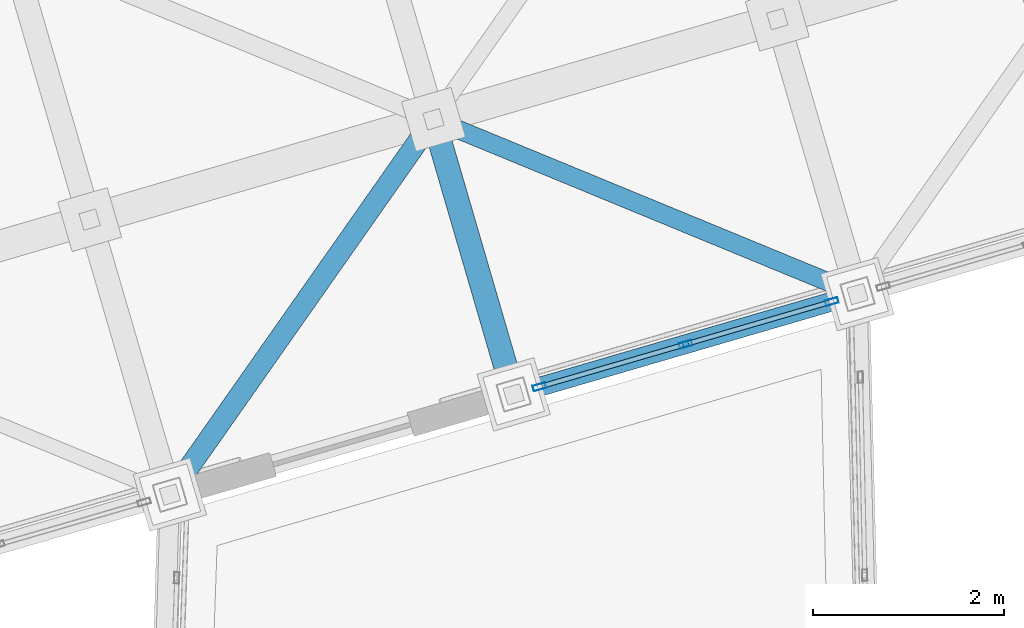
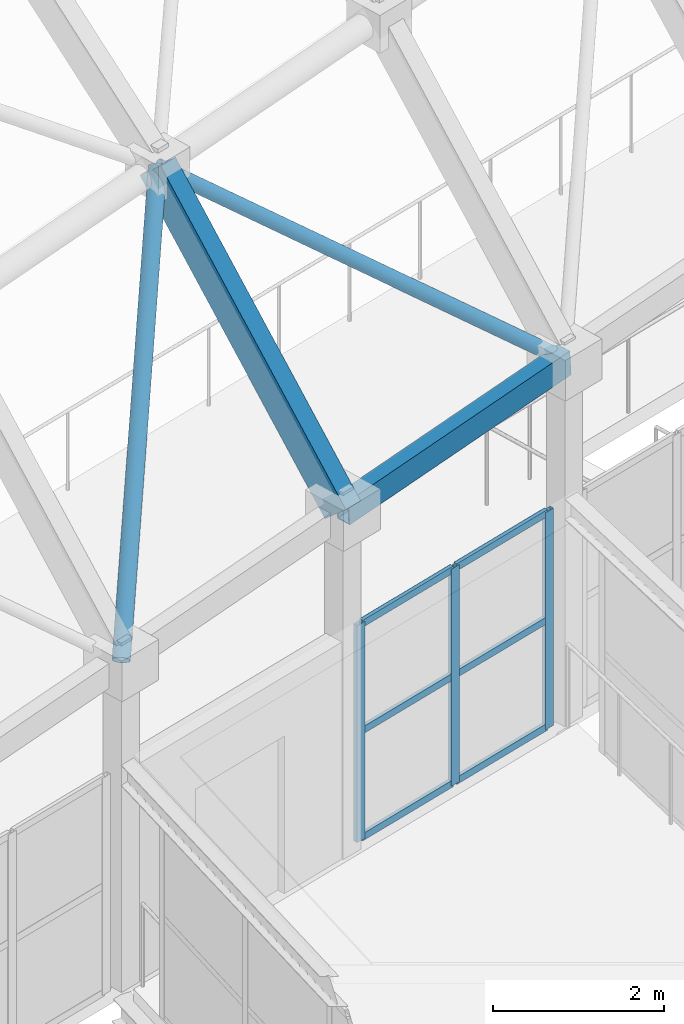
# One storey, part 44 of 248: 11 members, 2 beams, 1 element without a shape of its own.
"""IFC4 building model written with IfcOpenShell, lengths in metres."""

import ifcopenshell
import ifcopenshell.guid

model = None  # the IFC model being written
_history = None  # IfcOwnerHistory: only IFC2X3 demands one
_inside = {}  # id of a spatial element -> (the spatial element, [elements in it])
_under = {}  # id of a project, library or spatial element -> (it, [spatial elements below it])
_declared = {}  # id of a project -> (the project, [libraries it declares])
_typed = {}  # id of a type object -> (the type object, [elements of that type])
_made_of = {}  # id of a material, layer set ... -> (it, [elements and type objects made of it])


def new_model(schema):
    """Start an empty IFC model of exactly this schema.

    Asked for "IFC4X3", IfcOpenShell would pick the latest addendum, in which some entities
    have other attributes; the version numbers below select the first issue.
    IFC2X3 requires an IfcOwnerHistory on every rooted entity: one is made here for all.
    """
    global model, _history
    if schema == "IFC4X3":
        model = ifcopenshell.file(schema_version=(4, 3, 0, 0))
    else:
        model = ifcopenshell.file(schema=schema)
    _inside.clear()
    _under.clear()
    _declared.clear()
    _typed.clear()
    _made_of.clear()
    _history = None
    if model.schema == "IFC2X3":
        org = make("IfcOrganization", Name="unknown")
        user = make(
            "IfcPersonAndOrganization",
            ThePerson=make("IfcPerson", FamilyName="unknown"),
            TheOrganization=org,
        )
        app = make(
            "IfcApplication",
            ApplicationDeveloper=org,
            Version="unknown",
            ApplicationFullName="unknown",
            ApplicationIdentifier="unknown",
        )
        _history = make(
            "IfcOwnerHistory",
            OwningUser=user,
            OwningApplication=app,
            ChangeAction="ADDED",
            CreationDate=0,
        )
    return model


def make(cls, **values):
    """One entity of the class cls with the attributes given. An attribute that is None is left unset."""
    return model.create_entity(
        cls, **{name: value for name, value in values.items() if value is not None}
    )


def rooted(cls, **values):
    """An entity with a GlobalId (a new one), such as an element, a storey or a relation."""
    return make(cls, GlobalId=ifcopenshell.guid.new(), OwnerHistory=_history, **values)


def si_unit(unit_type, name, prefix=None):
    """IfcSIUnit, for example si_unit("LENGTHUNIT", "METRE", prefix="MILLI")."""
    return make("IfcSIUnit", UnitType=unit_type, Prefix=prefix, Name=name)


def assignment(units):
    """IfcUnitAssignment: the units of a project."""
    return None if units is None else make("IfcUnitAssignment", Units=units)


def point(xyz):
    """IfcCartesianPoint."""
    return None if xyz is None else make("IfcCartesianPoint", Coordinates=xyz)


def direction(xyz):
    """IfcDirection."""
    return None if xyz is None else make("IfcDirection", DirectionRatios=xyz)


def frame(location, z_axis=None, x_axis=None):
    """IfcAxis2Placement3D, a coordinate frame: its origin and axes. An axis left out is left unset."""
    return make(
        "IfcAxis2Placement3D",
        Location=point(location),
        Axis=direction(z_axis),
        RefDirection=direction(x_axis),
    )


def frame_2d(location, x_axis=None):
    """IfcAxis2Placement2D, a coordinate frame in the plane: its origin and x axis."""
    return make(
        "IfcAxis2Placement2D", Location=point(location), RefDirection=direction(x_axis)
    )


def origin():
    """The frame at (0, 0, 0) with its axes left unset."""
    return frame((0.0, 0.0, 0.0))


def origin_2d():
    """The frame at (0, 0) in the plane with its x axis left unset."""
    return frame_2d((0.0, 0.0))


def place(relative_to, where):
    """IfcLocalPlacement: puts the frame where relative to a parent placement (None: the world)."""
    return make(
        "IfcLocalPlacement", PlacementRelTo=relative_to, RelativePlacement=where
    )


def context(
    kind, dimensions, precision=None, world=None, true_north=None, identifier=None
):
    """IfcGeometricRepresentationContext, for example the 3D "Model" context."""
    return make(
        "IfcGeometricRepresentationContext",
        ContextIdentifier=identifier,
        ContextType=kind,
        CoordinateSpaceDimension=dimensions,
        Precision=precision,
        WorldCoordinateSystem=world,
        TrueNorth=true_north,
    )


def subcontext(parent, identifier, kind, view, scale=None):
    """IfcGeometricRepresentationSubContext, for example "Body" below "Model"."""
    return make(
        "IfcGeometricRepresentationSubContext",
        ContextIdentifier=identifier,
        ContextType=kind,
        ParentContext=parent,
        TargetScale=scale,
        TargetView=view,
    )


def project(units=None, contexts=None):
    """IfcProject with its units and contexts."""
    return rooted(
        "IfcProject",
        Name="project",
        RepresentationContexts=contexts,
        UnitsInContext=assignment(units),
    )


def spatial(cls, under=None, at=None, **own):
    """A site, building, storey or space (cls), placed at a placement, below another one or the project."""
    s = rooted(cls, ObjectPlacement=at, **own)
    if under is not None:
        _under.setdefault(under.id(), (under, []))[1].append(s)
    return s


def profile(cls, at=None, kind="AREA", **sizes):
    """A parametric profile (cls). Its sizes go by their IFC names, for example OverallWidth=200.0."""
    return make(cls, ProfileType=kind, Position=at, **sizes)


def hollow_rectangle(**sizes):
    """IfcRectangleHollowProfileDef."""
    return profile("IfcRectangleHollowProfileDef", **sizes)


def hollow_circle(**sizes):
    """IfcCircleHollowProfileDef."""
    return profile("IfcCircleHollowProfileDef", **sizes)


def extrude(swept, where, along, depth):
    """IfcExtrudedAreaSolid: the profile swept, set in the frame where, extruded along a direction by depth."""
    return make(
        "IfcExtrudedAreaSolid",
        SweptArea=swept,
        Position=where,
        ExtrudedDirection=direction(along),
        Depth=depth,
    )


def shape(context_of_items, identifier, shape_type, items):
    """IfcShapeRepresentation: the items that make up one representation, for example the "Body"."""
    return make(
        "IfcShapeRepresentation",
        ContextOfItems=context_of_items,
        RepresentationIdentifier=identifier,
        RepresentationType=shape_type,
        Items=items,
    )


def material(Name=None, Category=None):
    """IfcMaterial."""
    return make("IfcMaterial", Name=Name, Category=Category)


def layer(
    of_material, thickness, ventilated=None, Name=None, Category=None, Priority=None
):
    """IfcMaterialLayer: one layer of a wall or slab, of a material (None: an air gap)."""
    return make(
        "IfcMaterialLayer",
        Material=of_material,
        LayerThickness=thickness,
        IsVentilated=ventilated,
        Name=Name,
        Category=Category,
        Priority=Priority,
    )


def layer_set(layers, Name=None):
    """IfcMaterialLayerSet."""
    return make("IfcMaterialLayerSet", MaterialLayers=layers, LayerSetName=Name)


def material_profile(
    of_material, cross_section, Name=None, Category=None, Priority=None
):
    """IfcMaterialProfile: a cross section and its material."""
    return make(
        "IfcMaterialProfile",
        Name=Name,
        Material=of_material,
        Profile=cross_section,
        Priority=Priority,
        Category=Category,
    )


def profile_set(profiles, Name=None, composite=None):
    """IfcMaterialProfileSet."""
    return make(
        "IfcMaterialProfileSet",
        Name=Name,
        MaterialProfiles=profiles,
        CompositeProfile=composite,
    )


def made_of(thing, what):
    """Note that an element or type object is made of a material, layer set ...; save() writes the relation."""
    if what is not None:
        _made_of.setdefault(what.id(), (what, []))[1].append(thing)
    return thing


def type_object(cls, material=None, **own):
    """A type object (cls), such as IfcWallType, which elements share."""
    return made_of(rooted(cls, **own), material)


def element(
    cls,
    number,
    at=None,
    inside=None,
    cuts=None,
    type_object=None,
    material=None,
    context=None,
    identifier="Body",
    shape_type=None,
    held_by="IfcProductDefinitionShape",
    body=None,
    shapes=None,
    **own,
):
    """One element of the class cls, such as IfcWall. Its Tag is "e" and its number.

    at: its placement. inside: the storey or other place that contains it. cuts: it is an
    opening in that element (IfcRelVoidsElement). A single representation is given by context,
    identifier, shape_type and body (its items); several are given by shapes. held_by: the class
    of the entity that holds the representations. save() writes the other relations.
    """
    e = rooted(cls, Tag="e%d" % number, ObjectPlacement=at, **own)
    if body is not None:
        shapes = [shape(context, identifier, shape_type, body)]
    if shapes is not None:
        e.Representation = make(held_by, Representations=shapes)
    if inside is not None:
        _inside.setdefault(inside.id(), (inside, []))[1].append(e)
    if cuts is not None:
        rooted(
            "IfcRelVoidsElement", RelatingBuildingElement=cuts, RelatedOpeningElement=e
        )
    if type_object is not None:
        _typed.setdefault(type_object.id(), (type_object, []))[1].append(e)
    return made_of(e, material)


def aggregate(whole, parts):
    """IfcRelAggregates: a whole, such as a stair, and the parts it consists of."""
    return rooted("IfcRelAggregates", RelatingObject=whole, RelatedObjects=parts)


def save(model, path):
    """Write the relations noted so far, then the file.

    IfcRelAggregates (storeys below a building ...), IfcRelContainedInSpatialStructure (elements
    in a storey), IfcRelDefinesByType, IfcRelAssociatesMaterial and IfcRelDeclares: one each for
    every whole, place, type object, material and project.
    """
    for whole, parts in _under.values():
        aggregate(whole, parts)
    for where, things in _inside.values():
        rooted(
            "IfcRelContainedInSpatialStructure",
            RelatedElements=things,
            RelatingStructure=where,
        )
    for kind, things in _typed.values():
        rooted("IfcRelDefinesByType", RelatedObjects=things, RelatingType=kind)
    for what, things in _made_of.values():
        rooted("IfcRelAssociatesMaterial", RelatedObjects=things, RelatingMaterial=what)
    for by, libraries in _declared.values():
        rooted("IfcRelDeclares", RelatingContext=by, RelatedDefinitions=libraries)
    model.write(path)


model = new_model("IFC4")

# Units and contexts
model_context = context("Model", 3, precision=1e-05, world=origin(), true_north=direction((0.0, 1.0)))
body_context = subcontext(model_context, "Body", "Model", "MODEL_VIEW")
ifc_project = project(units=[si_unit("LENGTHUNIT", "METRE"), si_unit("AREAUNIT", "SQUARE_METRE"), si_unit("VOLUMEUNIT", "CUBIC_METRE"), si_unit("PLANEANGLEUNIT", "RADIAN"), si_unit("MASSUNIT", "GRAM", prefix="KILO")], contexts=[model_context])

# Site, building, storey
site_placement = place(None, origin())
site = spatial("IfcSite", under=ifc_project, at=site_placement, CompositionType="ELEMENT")
building_placement = place(site_placement, origin())
building = spatial("IfcBuilding", under=site, at=building_placement, Name="Canggui Botanical Conservatory", CompositionType="ELEMENT")
storey_placement = place(building_placement, frame((0.0, 0.0, 5.39990234375)))
storey = spatial("IfcBuildingStorey", under=building, at=storey_placement, Name="L02", CompositionType="ELEMENT", Elevation=5.39990234375)

# Beams
ifc_material_1 = material(Name="Steel Q355C", Category="steel")
ifc_material_profile_1 = material_profile(ifc_material_1, hollow_rectangle(XDim=0.25, YDim=0.449951171875, WallThickness=0.013916015625, at=origin_2d()), Name="RHS 250x450x14")
ifc_profile_set_1 = profile_set([ifc_material_profile_1], Name="Steel Q355C")
beam_type_1 = type_object("IfcBeamType", Name="BM-GJ02", PredefinedType="BEAM", material=ifc_profile_set_1)
beam_1_placement = place(storey_placement, frame((38.0, 47.25, 4.85009765625), z_axis=(-0.183568061506, 0.629284758361, 0.755184387874), x_axis=(-0.959989061447, -0.280037500885, 0.0)))
element("IfcBeam", 1, at=beam_1_placement, inside=storey, type_object=beam_type_1, Name="Conservatory Stepped-Arch Rib GJ-06 Segment 1", PredefinedType="BEAM", context=body_context, shape_type="SweptSolid", body=[
    extrude(hollow_rectangle(XDim=0.25, YDim=0.449951171875, WallThickness=0.013916015625, at=origin_2d()), origin(), (0.0, 0.0, 1.0), 4.576416015625),
])
ifc_material_profile_2 = material_profile(ifc_material_1, hollow_rectangle(XDim=0.199951171875, YDim=0.35009765625, WallThickness=0.011962890625, at=origin_2d()), Name="RHS 200x350x12")
ifc_profile_set_2 = profile_set([ifc_material_profile_2], Name="Steel Q355C")
beam_type_2 = type_object("IfcBeamType", Name="BM-RING01", PredefinedType="BEAM", material=ifc_profile_set_2)
beam_2_placement = place(storey_placement, frame((38.0, 47.25, 4.85009765625), z_axis=(0.957872417874, 0.27938486839, 0.066517113516), x_axis=(-0.280004999853, 0.959998541695, 0.0)))
element("IfcBeam", 2, at=beam_2_placement, inside=storey, type_object=beam_type_2, Name="Conservatory Perimeter Ring Beam V0-06", PredefinedType="BEAM", context=body_context, shape_type="SweptSolid", body=[
    extrude(hollow_rectangle(XDim=0.199951171875, YDim=0.35009765625, WallThickness=0.011962890625, at=origin_2d()), origin(), (0.0, 0.0, 1.0), 3.758544921875),
])

# Curtain wall, members
ifc_material_2 = material(Name="Thermally Broken Aluminium", Category="aluminium")
ifc_layer = layer(ifc_material_2, 0.135009765625, Name="Thermally Broken Aluminium", Category="aluminium")
ifc_layer_set = layer_set([ifc_layer], Name="Thermally Broken Aluminium")
curtain_wall_type = type_object("IfcCurtainWallType", Name="CW-STICK-A", PredefinedType="USERDEFINED", material=ifc_layer_set)
curtain_wall_placement = place(storey_placement, origin())
curtain_wall = element("IfcCurtainWall", 3, at=curtain_wall_placement, inside=storey, type_object=curtain_wall_type, Name="Facade Curtain Wall CW-CONS-L02-V0-06", ObjectType="STICK GLAZED WALL", PredefinedType="USERDEFINED")
ifc_material_profile_3 = material_profile(ifc_material_2, hollow_rectangle(XDim=0.06005859375, YDim=0.135009765625, WallThickness=0.00341796875, at=origin_2d()), Name="CWM 60x135x3.5")
ifc_profile_set_3 = profile_set([ifc_material_profile_3], Name="Thermally Broken Aluminium")
member_type_1 = type_object("IfcMemberType", Name="CWM-04", PredefinedType="MULLION", material=ifc_profile_set_3)
member_1_placement = place(storey_placement, frame((41.331298828125, 48.2216796875, 0.0), z_axis=(0.0, 0.0, 1.0), x_axis=(0.279999999995, -0.960000000002, 0.0)))
member_1 = element("IfcMember", 4, at=member_1_placement, type_object=member_type_1, Name="CW-04 mullion 1", PredefinedType="MULLION", context=body_context, shape_type="SweptSolid", body=[
    extrude(hollow_rectangle(XDim=0.06005859375, YDim=0.135009765625, WallThickness=0.00341796875, at=origin_2d()), origin(), (0.0, 0.0, 1.0), 3.10009765625),
])
member_2_placement = place(storey_placement, frame((39.800048828125, 47.77490234375, 0.0), z_axis=(0.0, 0.0, 1.0), x_axis=(0.279999999995, -0.960000000002, 0.0)))
member_2 = element("IfcMember", 5, at=member_2_placement, type_object=member_type_1, Name="CW-04 mullion 2", PredefinedType="MULLION", context=body_context, shape_type="SweptSolid", body=[
    extrude(hollow_rectangle(XDim=0.06005859375, YDim=0.135009765625, WallThickness=0.00341796875, at=origin_2d()), origin(), (0.0, 0.0, 1.0), 3.10009765625),
])
member_3_placement = place(storey_placement, frame((38.268798828125, 47.328369140625, 0.0), z_axis=(0.0, 0.0, 1.0), x_axis=(0.279999999995, -0.960000000002, 0.0)))
member_3 = element("IfcMember", 6, at=member_3_placement, type_object=member_type_1, Name="CW-04 mullion 3", PredefinedType="MULLION", context=body_context, shape_type="SweptSolid", body=[
    extrude(hollow_rectangle(XDim=0.06005859375, YDim=0.135009765625, WallThickness=0.00341796875, at=origin_2d()), origin(), (0.0, 0.0, 1.0), 3.10009765625),
])
ifc_material_profile_4 = material_profile(ifc_material_2, hollow_rectangle(XDim=0.050048828125, YDim=0.10009765625, WallThickness=0.0029296875, at=origin_2d()), Name="CWT 50x100x3")
ifc_profile_set_4 = profile_set([ifc_material_profile_4], Name="Thermally Broken Aluminium")
member_type_2 = type_object("IfcMemberType", Name="CWT-04", PredefinedType="USERDEFINED", material=ifc_profile_set_4)
member_4_placement = place(storey_placement, frame((41.302490234375, 48.213134765625, 0.025146484375), z_axis=(-0.960021373424, -0.279926709282, 0.0), x_axis=(0.279926709282, -0.960021373424, 0.0)))
member_4 = element("IfcMember", 7, at=member_4_placement, type_object=member_type_2, Name="CW-04 transom 1.1", ObjectType="TRANSOM", PredefinedType="USERDEFINED", context=body_context, shape_type="SweptSolid", body=[
    extrude(hollow_rectangle(XDim=0.050048828125, YDim=0.10009765625, WallThickness=0.0029296875, at=origin_2d()), origin(), (0.0, 0.0, 1.0), 1.534912109375),
])
member_5_placement = place(storey_placement, frame((41.302490234375, 48.213134765625, 1.550048828125), z_axis=(-0.960021373424, -0.279926709282, 0.0), x_axis=(0.279926709282, -0.960021373424, 0.0)))
member_5 = element("IfcMember", 8, at=member_5_placement, type_object=member_type_2, Name="CW-04 transom 1.2", ObjectType="TRANSOM", PredefinedType="USERDEFINED", context=body_context, shape_type="SweptSolid", body=[
    extrude(hollow_rectangle(XDim=0.050048828125, YDim=0.10009765625, WallThickness=0.0029296875, at=origin_2d()), origin(), (0.0, 0.0, 1.0), 1.534912109375),
])
member_6_placement = place(storey_placement, frame((41.302490234375, 48.213134765625, 3.0751953125), z_axis=(-0.960021373424, -0.279926709282, 0.0), x_axis=(0.279926709282, -0.960021373424, 0.0)))
member_6 = element("IfcMember", 9, at=member_6_placement, type_object=member_type_2, Name="CW-04 transom 1.3", ObjectType="TRANSOM", PredefinedType="USERDEFINED", context=body_context, shape_type="SweptSolid", body=[
    extrude(hollow_rectangle(XDim=0.050048828125, YDim=0.10009765625, WallThickness=0.0029296875, at=origin_2d()), origin(), (0.0, 0.0, 1.0), 1.534912109375),
])
member_7_placement = place(storey_placement, frame((39.771240234375, 47.7666015625, 0.025146484375), z_axis=(-0.960021373424, -0.279926709282, 0.0), x_axis=(0.279926709282, -0.960021373424, 0.0)))
member_7 = element("IfcMember", 10, at=member_7_placement, type_object=member_type_2, Name="CW-04 transom 2.1", ObjectType="TRANSOM", PredefinedType="USERDEFINED", context=body_context, shape_type="SweptSolid", body=[
    extrude(hollow_rectangle(XDim=0.050048828125, YDim=0.10009765625, WallThickness=0.0029296875, at=origin_2d()), origin(), (0.0, 0.0, 1.0), 1.534912109375),
])
member_8_placement = place(storey_placement, frame((39.771240234375, 47.7666015625, 1.550048828125), z_axis=(-0.960021373424, -0.279926709282, 0.0), x_axis=(0.279926709282, -0.960021373424, 0.0)))
member_8 = element("IfcMember", 11, at=member_8_placement, type_object=member_type_2, Name="CW-04 transom 2.2", ObjectType="TRANSOM", PredefinedType="USERDEFINED", context=body_context, shape_type="SweptSolid", body=[
    extrude(hollow_rectangle(XDim=0.050048828125, YDim=0.10009765625, WallThickness=0.0029296875, at=origin_2d()), origin(), (0.0, 0.0, 1.0), 1.534912109375),
])
member_9_placement = place(storey_placement, frame((39.771240234375, 47.7666015625, 3.0751953125), z_axis=(-0.960021373424, -0.279926709282, 0.0), x_axis=(0.279926709282, -0.960021373424, 0.0)))
member_9 = element("IfcMember", 12, at=member_9_placement, type_object=member_type_2, Name="CW-04 transom 2.3", ObjectType="TRANSOM", PredefinedType="USERDEFINED", context=body_context, shape_type="SweptSolid", body=[
    extrude(hollow_rectangle(XDim=0.050048828125, YDim=0.10009765625, WallThickness=0.0029296875, at=origin_2d()), origin(), (0.0, 0.0, 1.0), 1.534912109375),
])
aggregate(curtain_wall, [member_1, member_2, member_3, member_4, member_5, member_6, member_7, member_8, member_9])

# Members
ifc_material_profile_5 = material_profile(ifc_material_1, hollow_circle(Radius=0.109619140625, WallThickness=0.008056640625, at=origin_2d()), Name="CHS 219x8")
ifc_profile_set_5 = profile_set([ifc_material_profile_5], Name="Steel Q355C")
member_type_3 = type_object("IfcMemberType", Name="MEM-GSD01", PredefinedType="RAFTER", material=ifc_profile_set_5)
member_10_placement = place(storey_placement, frame((34.39990234375, 46.199951171875, 4.60009765625), z_axis=(0.454993560937, 0.647857704592, 0.61095110615), x_axis=(-0.818344854073, 0.574727500484, 0.0)))
element("IfcMember", 13, at=member_10_placement, inside=storey, type_object=member_type_3, Name="Conservatory Gridshell Diagrid Rafter 5-1", PredefinedType="RAFTER", context=body_context, shape_type="SweptSolid", body=[
    extrude(hollow_circle(Radius=0.109619140625, WallThickness=0.008056640625, at=origin_2d()), origin(), (0.0, 0.0, 1.0), 6.066162109375),
])
ifc_material_profile_6 = material_profile(ifc_material_1, hollow_circle(Radius=0.096923828125, WallThickness=0.008056640625, at=origin_2d()), Name="CHS 194x8")
ifc_profile_set_6 = profile_set([ifc_material_profile_6], Name="Steel Q355C")
member_type_4 = type_object("IfcMemberType", Name="MEM-GSD02", PredefinedType="RAFTER", material=ifc_profile_set_6)
member_11_placement = place(storey_placement, frame((37.159912109375, 50.1298828125, 8.30615234375), z_axis=(0.768958969573, -0.3168937965, -0.555230064795), x_axis=(0.381020817519, 0.924566458735, 0.0)))
element("IfcMember", 14, at=member_11_placement, inside=storey, type_object=member_type_4, Name="Conservatory Gridshell Diagrid Rafter 6-1", PredefinedType="RAFTER", context=body_context, shape_type="SweptSolid", body=[
    extrude(hollow_circle(Radius=0.096923828125, WallThickness=0.008056640625, at=origin_2d()), origin(), (0.0, 0.0, 1.0), 5.774169921875),
])

save(model, "model.ifc")
